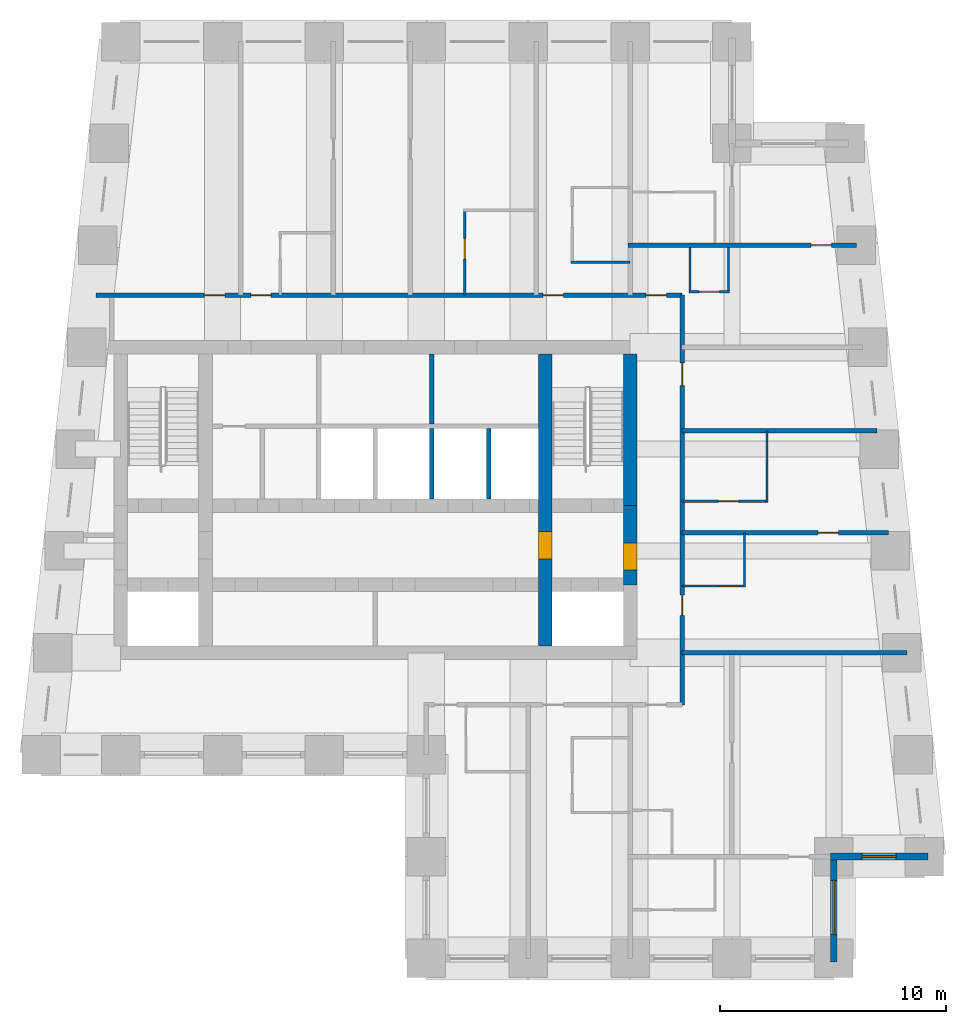
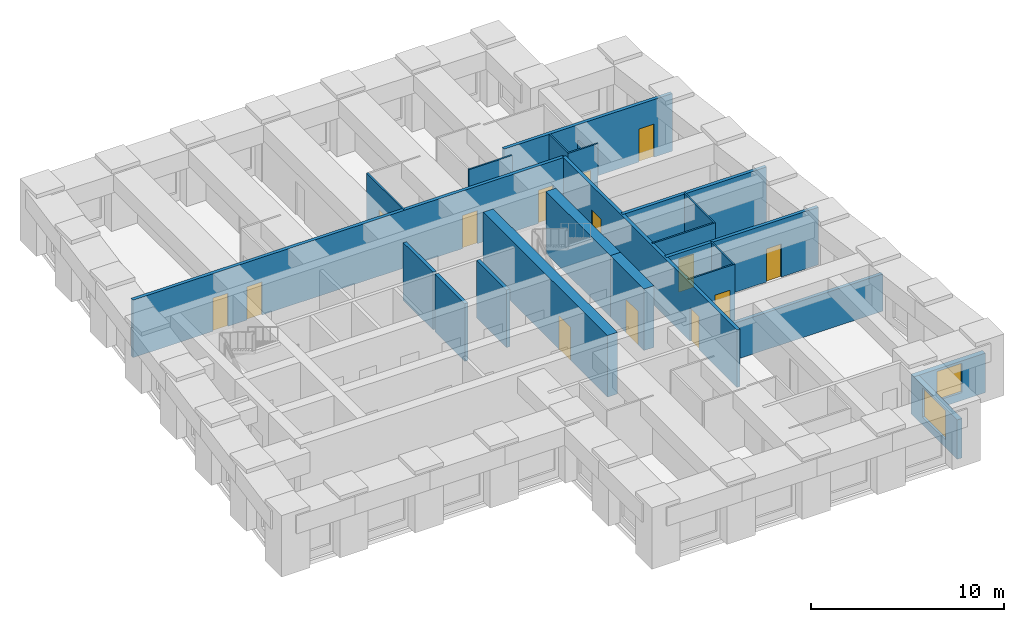
# One storey, part 4 of 7: 23 walls, 14 doors, 2 windows, 16 openings.
"""IFC4 building model written with IfcOpenShell, lengths in metres."""

import ifcopenshell
import ifcopenshell.guid

model = None  # the IFC model being written
_history = None  # IfcOwnerHistory: only IFC2X3 demands one
_inside = {}  # id of a spatial element -> (the spatial element, [elements in it])
_under = {}  # id of a project, library or spatial element -> (it, [spatial elements below it])
_declared = {}  # id of a project -> (the project, [libraries it declares])
_typed = {}  # id of a type object -> (the type object, [elements of that type])
_made_of = {}  # id of a material, layer set ... -> (it, [elements and type objects made of it])


def new_model(schema):
    """Start an empty IFC model of exactly this schema.

    Asked for "IFC4X3", IfcOpenShell would pick the latest addendum, in which some entities
    have other attributes; the version numbers below select the first issue.
    IFC2X3 requires an IfcOwnerHistory on every rooted entity: one is made here for all.
    """
    global model, _history
    if schema == "IFC4X3":
        model = ifcopenshell.file(schema_version=(4, 3, 0, 0))
    else:
        model = ifcopenshell.file(schema=schema)
    _inside.clear()
    _under.clear()
    _declared.clear()
    _typed.clear()
    _made_of.clear()
    _history = None
    if model.schema == "IFC2X3":
        org = make("IfcOrganization", Name="unknown")
        user = make(
            "IfcPersonAndOrganization",
            ThePerson=make("IfcPerson", FamilyName="unknown"),
            TheOrganization=org,
        )
        app = make(
            "IfcApplication",
            ApplicationDeveloper=org,
            Version="unknown",
            ApplicationFullName="unknown",
            ApplicationIdentifier="unknown",
        )
        _history = make(
            "IfcOwnerHistory",
            OwningUser=user,
            OwningApplication=app,
            ChangeAction="ADDED",
            CreationDate=0,
        )
    return model


def make(cls, **values):
    """One entity of the class cls with the attributes given. An attribute that is None is left unset."""
    return model.create_entity(
        cls, **{name: value for name, value in values.items() if value is not None}
    )


def rooted(cls, **values):
    """An entity with a GlobalId (a new one), such as an element, a storey or a relation."""
    return make(cls, GlobalId=ifcopenshell.guid.new(), OwnerHistory=_history, **values)


def si_unit(unit_type, name, prefix=None):
    """IfcSIUnit, for example si_unit("LENGTHUNIT", "METRE", prefix="MILLI")."""
    return make("IfcSIUnit", UnitType=unit_type, Prefix=prefix, Name=name)


def assignment(units):
    """IfcUnitAssignment: the units of a project."""
    return None if units is None else make("IfcUnitAssignment", Units=units)


def point(xyz):
    """IfcCartesianPoint."""
    return None if xyz is None else make("IfcCartesianPoint", Coordinates=xyz)


def direction(xyz):
    """IfcDirection."""
    return None if xyz is None else make("IfcDirection", DirectionRatios=xyz)


def frame(location, z_axis=None, x_axis=None):
    """IfcAxis2Placement3D, a coordinate frame: its origin and axes. An axis left out is left unset."""
    return make(
        "IfcAxis2Placement3D",
        Location=point(location),
        Axis=direction(z_axis),
        RefDirection=direction(x_axis),
    )


def frame_2d(location, x_axis=None):
    """IfcAxis2Placement2D, a coordinate frame in the plane: its origin and x axis."""
    return make(
        "IfcAxis2Placement2D", Location=point(location), RefDirection=direction(x_axis)
    )


def origin():
    """The frame at (0, 0, 0) with its axes left unset."""
    return frame((0.0, 0.0, 0.0))


def place(relative_to, where):
    """IfcLocalPlacement: puts the frame where relative to a parent placement (None: the world)."""
    return make(
        "IfcLocalPlacement", PlacementRelTo=relative_to, RelativePlacement=where
    )


def context(
    kind, dimensions, precision=None, world=None, true_north=None, identifier=None
):
    """IfcGeometricRepresentationContext, for example the 3D "Model" context."""
    return make(
        "IfcGeometricRepresentationContext",
        ContextIdentifier=identifier,
        ContextType=kind,
        CoordinateSpaceDimension=dimensions,
        Precision=precision,
        WorldCoordinateSystem=world,
        TrueNorth=true_north,
    )


def subcontext(parent, identifier, kind, view, scale=None):
    """IfcGeometricRepresentationSubContext, for example "Body" below "Model"."""
    return make(
        "IfcGeometricRepresentationSubContext",
        ContextIdentifier=identifier,
        ContextType=kind,
        ParentContext=parent,
        TargetScale=scale,
        TargetView=view,
    )


def project(units=None, contexts=None):
    """IfcProject with its units and contexts."""
    return rooted(
        "IfcProject",
        Name="project",
        RepresentationContexts=contexts,
        UnitsInContext=assignment(units),
    )


def spatial(cls, under=None, at=None, **own):
    """A site, building, storey or space (cls), placed at a placement, below another one or the project."""
    s = rooted(cls, ObjectPlacement=at, **own)
    if under is not None:
        _under.setdefault(under.id(), (under, []))[1].append(s)
    return s


def profile(cls, at=None, kind="AREA", **sizes):
    """A parametric profile (cls). Its sizes go by their IFC names, for example OverallWidth=200.0."""
    return make(cls, ProfileType=kind, Position=at, **sizes)


def rectangle(**sizes):
    """IfcRectangleProfileDef."""
    return profile("IfcRectangleProfileDef", **sizes)


def extrude(swept, where, along, depth):
    """IfcExtrudedAreaSolid: the profile swept, set in the frame where, extruded along a direction by depth."""
    return make(
        "IfcExtrudedAreaSolid",
        SweptArea=swept,
        Position=where,
        ExtrudedDirection=direction(along),
        Depth=depth,
    )


def shape(context_of_items, identifier, shape_type, items):
    """IfcShapeRepresentation: the items that make up one representation, for example the "Body"."""
    return make(
        "IfcShapeRepresentation",
        ContextOfItems=context_of_items,
        RepresentationIdentifier=identifier,
        RepresentationType=shape_type,
        Items=items,
    )


def material(Name=None, Category=None):
    """IfcMaterial."""
    return make("IfcMaterial", Name=Name, Category=Category)


def layer(
    of_material, thickness, ventilated=None, Name=None, Category=None, Priority=None
):
    """IfcMaterialLayer: one layer of a wall or slab, of a material (None: an air gap)."""
    return make(
        "IfcMaterialLayer",
        Material=of_material,
        LayerThickness=thickness,
        IsVentilated=ventilated,
        Name=Name,
        Category=Category,
        Priority=Priority,
    )


def layer_set(layers, Name=None):
    """IfcMaterialLayerSet."""
    return make("IfcMaterialLayerSet", MaterialLayers=layers, LayerSetName=Name)


def made_of(thing, what):
    """Note that an element or type object is made of a material, layer set ...; save() writes the relation."""
    if what is not None:
        _made_of.setdefault(what.id(), (what, []))[1].append(thing)
    return thing


def type_object(cls, material=None, **own):
    """A type object (cls), such as IfcWallType, which elements share."""
    return made_of(rooted(cls, **own), material)


def element(
    cls,
    number,
    at=None,
    inside=None,
    cuts=None,
    type_object=None,
    material=None,
    context=None,
    identifier="Body",
    shape_type=None,
    held_by="IfcProductDefinitionShape",
    body=None,
    shapes=None,
    **own,
):
    """One element of the class cls, such as IfcWall. Its Tag is "e" and its number.

    at: its placement. inside: the storey or other place that contains it. cuts: it is an
    opening in that element (IfcRelVoidsElement). A single representation is given by context,
    identifier, shape_type and body (its items); several are given by shapes. held_by: the class
    of the entity that holds the representations. save() writes the other relations.
    """
    e = rooted(cls, Tag="e%d" % number, ObjectPlacement=at, **own)
    if body is not None:
        shapes = [shape(context, identifier, shape_type, body)]
    if shapes is not None:
        e.Representation = make(held_by, Representations=shapes)
    if inside is not None:
        _inside.setdefault(inside.id(), (inside, []))[1].append(e)
    if cuts is not None:
        rooted(
            "IfcRelVoidsElement", RelatingBuildingElement=cuts, RelatedOpeningElement=e
        )
    if type_object is not None:
        _typed.setdefault(type_object.id(), (type_object, []))[1].append(e)
    return made_of(e, material)


def fill(opening, filler):
    """IfcRelFillsElement: the door or window that sits in an opening."""
    return rooted(
        "IfcRelFillsElement",
        RelatingOpeningElement=opening,
        RelatedBuildingElement=filler,
    )


def aggregate(whole, parts):
    """IfcRelAggregates: a whole, such as a stair, and the parts it consists of."""
    return rooted("IfcRelAggregates", RelatingObject=whole, RelatedObjects=parts)


def save(model, path):
    """Write the relations noted so far, then the file.

    IfcRelAggregates (storeys below a building ...), IfcRelContainedInSpatialStructure (elements
    in a storey), IfcRelDefinesByType, IfcRelAssociatesMaterial and IfcRelDeclares: one each for
    every whole, place, type object, material and project.
    """
    for whole, parts in _under.values():
        aggregate(whole, parts)
    for where, things in _inside.values():
        rooted(
            "IfcRelContainedInSpatialStructure",
            RelatedElements=things,
            RelatingStructure=where,
        )
    for kind, things in _typed.values():
        rooted("IfcRelDefinesByType", RelatedObjects=things, RelatingType=kind)
    for what, things in _made_of.values():
        rooted("IfcRelAssociatesMaterial", RelatedObjects=things, RelatingMaterial=what)
    for by, libraries in _declared.values():
        rooted("IfcRelDeclares", RelatingContext=by, RelatedDefinitions=libraries)
    model.write(path)


model = new_model("IFC4")

# Units and contexts
model_context = context("Model", 3, precision=1e-05, world=origin(), true_north=direction((0.0, 1.0)))
body_context = subcontext(model_context, "Body", "Model", "MODEL_VIEW")
ifc_project = project(units=[si_unit("LENGTHUNIT", "METRE"), si_unit("AREAUNIT", "SQUARE_METRE"), si_unit("VOLUMEUNIT", "CUBIC_METRE"), si_unit("PLANEANGLEUNIT", "RADIAN"), si_unit("MASSUNIT", "GRAM", prefix="KILO")], contexts=[model_context])

# Site, building, storey
site_placement = place(None, origin())
site = spatial("IfcSite", under=ifc_project, at=site_placement, CompositionType="ELEMENT")
building_placement = place(site_placement, origin())
building = spatial("IfcBuilding", under=site, at=building_placement, Name="Kilele Tower Hotel", CompositionType="ELEMENT")
storey_placement = place(building_placement, frame((0.0, 0.0, 229.10009765625)))
storey = spatial("IfcBuildingStorey", under=building, at=storey_placement, Name="L59", CompositionType="ELEMENT", Elevation=229.10009765625)

# Wall
ifc_material_1 = material(Name="Moisture-resistant board")
ifc_layer_1 = layer(ifc_material_1, 0.10009765625)
ifc_layer_set_1 = layer_set([ifc_layer_1], Name="Moisture-resistant board")
wall_type_1 = type_object("IfcWallType", Name="Bathroom partition 100", PredefinedType="PLUMBINGWALL", material=ifc_layer_set_1)
wall_1_placement = place(storey_placement, frame((41.050048828125, 16.39990234375, 0.0), z_axis=(0.0, 0.0, 1.0), x_axis=(0.0, 1.0, 0.0)))
element("IfcWall", 1, at=wall_1_placement, inside=storey, type_object=wall_type_1, Name="Bathroom partition 100 L59", PredefinedType="PLUMBINGWALL", context=body_context, shape_type="SweptSolid", body=[
    extrude(rectangle(XDim=2.400146484375, YDim=0.10009765625, at=frame_2d((1.2001953125, 0.0))), origin(), (0.0, 0.0, 1.0), 3.64990234375),
])

# Wall, opening, door
wall_2_placement = place(storey_placement, frame((38.300048828125, 16.449951171875, 0.0), z_axis=(0.0, 0.0, 1.0), x_axis=(1.0, 0.0, 0.0)))
wall_2 = element("IfcWall", 2, at=wall_2_placement, inside=storey, type_object=wall_type_1, Name="Bathroom partition 100 L59", PredefinedType="PLUMBINGWALL", context=body_context, shape_type="SweptSolid", body=[
    extrude(rectangle(XDim=2.800048828125, YDim=0.10009765625, at=frame_2d((1.39990234375, 0.0))), origin(), (0.0, 0.0, 1.0), 3.64990234375),
])
opening_1_placement = place(wall_2_placement, frame((2.5, 0.0, 0.0), z_axis=(0.0, 0.0, 1.0), x_axis=(-1.0, 0.0, 0.0)))
opening_1 = element("IfcOpeningElement", 3, at=opening_1_placement, cuts=wall_2, Name="Opening D2A", PredefinedType="OPENING", context=body_context, shape_type="SweptSolid", body=[
    extrude(rectangle(XDim=0.89990234375, YDim=2.10009765625, at=frame_2d((0.449951171875, 1.050048828125))), frame((0.0, 0.06005859375, 0.0), z_axis=(0.0, -1.0, 0.0), x_axis=(1.0, 0.0, 0.0)), (0.0, 0.0, 1.0), 0.1201171875),
])
ifc_material_2 = material(Name="Timber door leaf in hardwood frame", Category="wood")
door_type_1 = type_object("IfcDoorType", Name="Bathroom door 900", OperationType="SINGLE_SWING_LEFT", PredefinedType="DOOR", material=ifc_material_2)
door_1_placement = place(opening_1_placement, origin())
door_1 = element("IfcDoor", 4, at=door_1_placement, inside=storey, type_object=door_type_1, Name="Bathroom door 5904B", OperationType="SINGLE_SWING_RIGHT", OverallHeight=2.10009765625, OverallWidth=0.89990234375, PredefinedType="DOOR", context=body_context, shape_type="SweptSolid", body=[
    extrude(rectangle(XDim=0.89990234375, YDim=2.10009765625, at=frame_2d((0.449951171875, 1.050048828125))), frame((0.0, 0.02490234375, 0.0), z_axis=(0.0, -1.0, 0.0), x_axis=(1.0, 0.0, 0.0)), (0.0, 0.0, 1.0), 0.050048828125),
])
fill(opening_1, door_1)

# Wall
wall_3_placement = place(storey_placement, frame((42.050048828125, 20.14990234375, 0.0), z_axis=(0.0, 0.0, 1.0), x_axis=(0.0, 1.0, 0.0)))
element("IfcWall", 5, at=wall_3_placement, inside=storey, type_object=wall_type_1, Name="Bathroom partition 100 L59", PredefinedType="PLUMBINGWALL", context=body_context, shape_type="SweptSolid", body=[
    extrude(rectangle(XDim=3.150146484375, YDim=0.10009765625, at=frame_2d((1.5751953125, 0.0))), origin(), (0.0, 0.0, 1.0), 3.64990234375),
])

# Wall, opening, door
wall_4_placement = place(storey_placement, frame((38.300048828125, 20.199951171875, 0.0), z_axis=(0.0, 0.0, 1.0), x_axis=(1.0, 0.0, 0.0)))
wall_4 = element("IfcWall", 6, at=wall_4_placement, inside=storey, type_object=wall_type_1, Name="Bathroom partition 100 L59", PredefinedType="PLUMBINGWALL", context=body_context, shape_type="SweptSolid", body=[
    extrude(rectangle(XDim=3.800048828125, YDim=0.10009765625, at=frame_2d((1.89990234375, 0.0))), origin(), (0.0, 0.0, 1.0), 3.64990234375),
])
opening_2_placement = place(wall_4_placement, frame((2.5, 0.0, 0.0), z_axis=(0.0, 0.0, 1.0), x_axis=(-1.0, 0.0, 0.0)))
opening_2 = element("IfcOpeningElement", 7, at=opening_2_placement, cuts=wall_4, Name="Opening D2A", PredefinedType="OPENING", context=body_context, shape_type="SweptSolid", body=[
    extrude(rectangle(XDim=0.89990234375, YDim=2.10009765625, at=frame_2d((0.449951171875, 1.050048828125))), frame((0.0, 0.06005859375, 0.0), z_axis=(0.0, -1.0, 0.0), x_axis=(1.0, 0.0, 0.0)), (0.0, 0.0, 1.0), 0.1201171875),
])
door_2_placement = place(opening_2_placement, origin())
door_2 = element("IfcDoor", 8, at=door_2_placement, inside=storey, type_object=door_type_1, Name="Bathroom door 5905B", OperationType="SINGLE_SWING_RIGHT", OverallHeight=2.10009765625, OverallWidth=0.89990234375, PredefinedType="DOOR", context=body_context, shape_type="SweptSolid", body=[
    extrude(rectangle(XDim=0.89990234375, YDim=2.10009765625, at=frame_2d((0.449951171875, 1.050048828125))), frame((0.0, 0.02490234375, 0.0), z_axis=(0.0, -1.0, 0.0), x_axis=(1.0, 0.0, 0.0)), (0.0, 0.0, 1.0), 0.050048828125),
])
fill(opening_2, door_2)

wall_5_placement = place(storey_placement, frame((28.699951171875, 29.300048828125, 0.0), z_axis=(0.0, 0.0, 1.0), x_axis=(0.0, 1.0, 0.0)))
wall_5 = element("IfcWall", 9, at=wall_5_placement, inside=storey, type_object=wall_type_1, Name="Bathroom partition 100 L59", PredefinedType="PLUMBINGWALL", context=body_context, shape_type="SweptSolid", body=[
    extrude(rectangle(XDim=3.800048828125, YDim=0.10009765625, at=frame_2d((1.89990234375, 0.0))), origin(), (0.0, 0.0, 1.0), 3.64990234375),
])
opening_3_placement = place(wall_5_placement, frame((1.60009765625, 0.0, 0.0)))
opening_3 = element("IfcOpeningElement", 10, at=opening_3_placement, cuts=wall_5, Name="Opening D2A", PredefinedType="OPENING", context=body_context, shape_type="SweptSolid", body=[
    extrude(rectangle(XDim=0.89990234375, YDim=2.10009765625, at=frame_2d((0.449951171875, 1.050048828125))), frame((0.0, 0.06005859375, 0.0), z_axis=(0.0, -1.0, 0.0), x_axis=(1.0, 0.0, 0.0)), (0.0, 0.0, 1.0), 0.1201171875),
])
door_3_placement = place(opening_3_placement, origin())
door_3 = element("IfcDoor", 11, at=door_3_placement, inside=storey, type_object=door_type_1, Name="Bathroom door 5910B", OperationType="SINGLE_SWING_LEFT", OverallHeight=2.10009765625, OverallWidth=0.89990234375, PredefinedType="DOOR", context=body_context, shape_type="SweptSolid", body=[
    extrude(rectangle(XDim=0.89990234375, YDim=2.10009765625, at=frame_2d((0.449951171875, 1.050048828125))), frame((0.0, 0.02490234375, 0.0), z_axis=(0.0, -1.0, 0.0), x_axis=(1.0, 0.0, 0.0)), (0.0, 0.0, 1.0), 0.050048828125),
])
fill(opening_3, door_3)

# Walls
wall_6_placement = place(storey_placement, frame((33.39990234375, 30.75, 0.0), z_axis=(0.0, 0.0, 1.0), x_axis=(1.0, 0.0, 0.0)))
element("IfcWall", 12, at=wall_6_placement, inside=storey, type_object=wall_type_1, Name="Bathroom partition 100 L59", PredefinedType="PLUMBINGWALL", context=body_context, shape_type="SweptSolid", body=[
    extrude(rectangle(XDim=2.60009765625, YDim=0.10009765625, at=frame_2d((1.300048828125, 0.0))), origin(), (0.0, 0.0, 1.0), 3.64990234375),
])
wall_7_placement = place(storey_placement, frame((40.35009765625, 31.39990234375, 0.0), z_axis=(0.0, 0.0, 1.0), x_axis=(0.0, -1.0, 0.0)))
element("IfcWall", 13, at=wall_7_placement, inside=storey, type_object=wall_type_1, Name="Bathroom partition 100 L59", PredefinedType="PLUMBINGWALL", context=body_context, shape_type="SweptSolid", body=[
    extrude(rectangle(XDim=2.0, YDim=0.10009765625, at=frame_2d((1.0, 0.0))), origin(), (0.0, 0.0, 1.0), 2.64990234375),
])
wall_8_placement = place(storey_placement, frame((38.64990234375, 31.39990234375, 0.0), z_axis=(0.0, 0.0, 1.0), x_axis=(0.0, -1.0, 0.0)))
element("IfcWall", 14, at=wall_8_placement, inside=storey, type_object=wall_type_1, Name="Bathroom partition 100 L59", PredefinedType="PLUMBINGWALL", context=body_context, shape_type="SweptSolid", body=[
    extrude(rectangle(XDim=2.0, YDim=0.10009765625, at=frame_2d((1.0, 0.0))), origin(), (0.0, 0.0, 1.0), 3.64990234375),
])

# Wall, opening, door
wall_9_placement = place(storey_placement, frame((38.60009765625, 29.449951171875, 0.0), z_axis=(0.0, 0.0, 1.0), x_axis=(1.0, 0.0, 0.0)))
wall_9 = element("IfcWall", 15, at=wall_9_placement, inside=storey, type_object=wall_type_1, Name="Bathroom partition 100 L59", PredefinedType="PLUMBINGWALL", context=body_context, shape_type="SweptSolid", body=[
    extrude(rectangle(XDim=1.7998046875, YDim=0.10009765625, at=frame_2d((0.89990234375, 0.0))), origin(), (0.0, 0.0, 1.0), 3.64990234375),
])
opening_4_placement = place(wall_9_placement, frame((1.349853515625, 0.0, 0.0), z_axis=(0.0, 0.0, 1.0), x_axis=(-1.0, 0.0, 0.0)))
opening_4 = element("IfcOpeningElement", 16, at=opening_4_placement, cuts=wall_9, Name="Opening D2A", PredefinedType="OPENING", context=body_context, shape_type="SweptSolid", body=[
    extrude(rectangle(XDim=0.89990234375, YDim=2.10009765625, at=frame_2d((0.449951171875, 1.050048828125))), frame((0.0, 0.06005859375, 0.0), z_axis=(0.0, -1.0, 0.0), x_axis=(1.0, 0.0, 0.0)), (0.0, 0.0, 1.0), 0.1201171875),
])
door_4_placement = place(opening_4_placement, origin())
door_4 = element("IfcDoor", 17, at=door_4_placement, inside=storey, type_object=door_type_1, Name="Bathroom door 5915P", OperationType="SINGLE_SWING_RIGHT", OverallHeight=2.10009765625, OverallWidth=0.89990234375, PredefinedType="DOOR", context=body_context, shape_type="SweptSolid", body=[
    extrude(rectangle(XDim=0.89990234375, YDim=2.10009765625, at=frame_2d((0.449951171875, 1.050048828125))), frame((0.0, 0.02490234375, 0.0), z_axis=(0.0, -1.0, 0.0), x_axis=(1.0, 0.0, 0.0)), (0.0, 0.0, 1.0), 0.050048828125),
])
fill(opening_4, door_4)

ifc_material_3 = material(Name="Concrete C60/75", Category="concrete")
ifc_layer_2 = layer(ifc_material_3, 0.60009765625)
ifc_layer_set_2 = layer_set([ifc_layer_2], Name="Concrete C60/75")
wall_type_2 = type_object("IfcWallType", Name="Core wall 600 C60/75", PredefinedType="SHEAR", material=ifc_layer_set_2)
wall_10_placement = place(storey_placement, frame((32.25, 13.800048828125, 0.0), z_axis=(0.0, 0.0, 1.0), x_axis=(0.0, 1.0, 0.0)))
wall_10 = element("IfcWall", 18, at=wall_10_placement, inside=storey, type_object=wall_type_2, Name="Core wall IE L59", PredefinedType="SHEAR", context=body_context, shape_type="SweptSolid", body=[
    extrude(rectangle(XDim=12.89990234375, YDim=0.60009765625, at=frame_2d((6.449951171875, 0.0))), origin(), (0.0, 0.0, 1.0), 3.89990234375),
])
opening_5_placement = place(wall_10_placement, frame((5.050048828125, 0.0, 0.0), z_axis=(0.0, 0.0, 1.0), x_axis=(-1.0, 0.0, 0.0)))
opening_5 = element("IfcOpeningElement", 19, at=opening_5_placement, cuts=wall_10, Name="Opening D4", PredefinedType="OPENING", context=body_context, shape_type="SweptSolid", body=[
    extrude(rectangle(XDim=1.199951171875, YDim=2.10009765625, at=frame_2d((0.60009765625, 1.050048828125))), frame((0.0, 0.31005859375, 0.0), z_axis=(0.0, -1.0, 0.0), x_axis=(1.0, 0.0, 0.0)), (0.0, 0.0, 1.0), 0.6201171875),
])
ifc_material_4 = material(Name="Timber door leaf in hardwood frame", Category="wood")
door_type_2 = type_object("IfcDoorType", Name="Firefighting lobby door 1200", OperationType="SINGLE_SWING_LEFT", PredefinedType="DOOR", material=ifc_material_4)
door_5_placement = place(opening_5_placement, origin())
door_5 = element("IfcDoor", 20, at=door_5_placement, inside=storey, type_object=door_type_2, Name="Lobby door L59", OperationType="SINGLE_SWING_RIGHT", OverallHeight=2.10009765625, OverallWidth=1.199951171875, PredefinedType="DOOR", context=body_context, shape_type="SweptSolid", body=[
    extrude(rectangle(XDim=1.199951171875, YDim=2.10009765625, at=frame_2d((0.60009765625, 1.050048828125))), frame((0.0, 0.2998046875, 0.0), z_axis=(0.0, -1.0, 0.0), x_axis=(1.0, 0.0, 0.0)), (0.0, 0.0, 1.0), 0.599609375),
])
fill(opening_5, door_5)

wall_11_placement = place(storey_placement, frame((36.0, 16.5, 0.0), z_axis=(0.0, 0.0, 1.0), x_axis=(0.0, 1.0, 0.0)))
wall_11 = element("IfcWall", 21, at=wall_11_placement, inside=storey, type_object=wall_type_2, Name="Core wall E2 L59", PredefinedType="SHEAR", context=body_context, shape_type="SweptSolid", body=[
    extrude(rectangle(XDim=3.5, YDim=0.60009765625, at=frame_2d((1.75, 0.0))), origin(), (0.0, 0.0, 1.0), 3.89990234375),
])
opening_6_placement = place(wall_11_placement, frame((0.64990234375, 0.0, 0.0)))
opening_6 = element("IfcOpeningElement", 22, at=opening_6_placement, cuts=wall_11, Name="Opening D4", PredefinedType="OPENING", context=body_context, shape_type="SweptSolid", body=[
    extrude(rectangle(XDim=1.199951171875, YDim=2.10009765625, at=frame_2d((0.60009765625, 1.050048828125))), frame((0.0, 0.31005859375, 0.0), z_axis=(0.0, -1.0, 0.0), x_axis=(1.0, 0.0, 0.0)), (0.0, 0.0, 1.0), 0.6201171875),
])
door_6_placement = place(opening_6_placement, origin())
door_6 = element("IfcDoor", 23, at=door_6_placement, inside=storey, type_object=door_type_2, Name="Lobby door L59", OperationType="SINGLE_SWING_LEFT", OverallHeight=2.10009765625, OverallWidth=1.199951171875, PredefinedType="DOOR", context=body_context, shape_type="SweptSolid", body=[
    extrude(rectangle(XDim=1.199951171875, YDim=2.10009765625, at=frame_2d((0.60009765625, 1.050048828125))), frame((0.0, 0.2998046875, 0.0), z_axis=(0.0, -1.0, 0.0), x_axis=(1.0, 0.0, 0.0)), (0.0, 0.0, 1.0), 0.599609375),
])
fill(opening_6, door_6)

# Wall
wall_12_placement = place(storey_placement, frame((36.0, 20.0, 0.0), z_axis=(0.0, 0.0, 1.0), x_axis=(0.0, 1.0, 0.0)))
element("IfcWall", 24, at=wall_12_placement, inside=storey, type_object=wall_type_2, Name="Core wall E3 L59", PredefinedType="SHEAR", context=body_context, shape_type="SweptSolid", body=[
    extrude(rectangle(XDim=6.699951171875, YDim=0.60009765625, at=frame_2d((3.35009765625, 0.0))), origin(), (0.0, 0.0, 1.0), 3.89990234375),
])

# Wall, openings, doors
ifc_material_5 = material(Name="Blockwork, plastered both sides", Category="masonry")
ifc_layer_3 = layer(ifc_material_5, 0.199951171875)
ifc_layer_set_3 = layer_set([ifc_layer_3], Name="Blockwork, plastered both sides")
wall_type_3 = type_object("IfcWallType", Name="Corridor wall 200", PredefinedType="PARTITIONING", material=ifc_layer_set_3)
wall_13_placement = place(storey_placement, frame((12.406494140625, 29.300048828125, 0.0), z_axis=(0.0, 0.0, 1.0), x_axis=(1.0, 0.0, 0.0)))
wall_13 = element("IfcWall", 25, at=wall_13_placement, inside=storey, type_object=wall_type_3, Name="Corridor wall 200 L59", PredefinedType="PARTITIONING", context=body_context, shape_type="SweptSolid", body=[
    extrude(rectangle(XDim=25.8935546875, YDim=0.199951171875, at=frame_2d((12.94677734375, 0.0))), origin(), (0.0, 0.0, 1.0), 3.64990234375),
])
opening_7_placement = place(wall_13_placement, frame((4.79345703125, 0.0, 0.0)))
opening_7 = element("IfcOpeningElement", 26, at=opening_7_placement, cuts=wall_13, Name="Opening D1", PredefinedType="OPENING", context=body_context, shape_type="SweptSolid", body=[
    extrude(rectangle(XDim=0.89990234375, YDim=2.10009765625, at=frame_2d((0.449951171875, 1.050048828125))), frame((0.0, 0.10986328125, 0.0), z_axis=(0.0, -1.0, 0.0), x_axis=(1.0, 0.0, 0.0)), (0.0, 0.0, 1.0), 0.219970703125),
])
opening_8_placement = place(wall_13_placement, frame((6.843505859375, 0.0, 0.0)))
opening_8 = element("IfcOpeningElement", 27, at=opening_8_placement, cuts=wall_13, Name="Opening D1", PredefinedType="OPENING", context=body_context, shape_type="SweptSolid", body=[
    extrude(rectangle(XDim=0.89990234375, YDim=2.10009765625, at=frame_2d((0.449951171875, 1.050048828125))), frame((0.0, 0.10986328125, 0.0), z_axis=(0.0, -1.0, 0.0), x_axis=(1.0, 0.0, 0.0)), (0.0, 0.0, 1.0), 0.219970703125),
])
opening_9_placement = place(wall_13_placement, frame((19.743408203125, 0.0, 0.0)))
opening_9 = element("IfcOpeningElement", 28, at=opening_9_placement, cuts=wall_13, Name="Opening D1", PredefinedType="OPENING", context=body_context, shape_type="SweptSolid", body=[
    extrude(rectangle(XDim=0.89990234375, YDim=2.10009765625, at=frame_2d((0.449951171875, 1.050048828125))), frame((0.0, 0.10986328125, 0.0), z_axis=(0.0, -1.0, 0.0), x_axis=(1.0, 0.0, 0.0)), (0.0, 0.0, 1.0), 0.219970703125),
])
opening_10_placement = place(wall_13_placement, frame((24.29345703125, 0.0, 0.0)))
opening_10 = element("IfcOpeningElement", 29, at=opening_10_placement, cuts=wall_13, Name="Opening D1", PredefinedType="OPENING", context=body_context, shape_type="SweptSolid", body=[
    extrude(rectangle(XDim=0.89990234375, YDim=2.10009765625, at=frame_2d((0.449951171875, 1.050048828125))), frame((0.0, 0.10986328125, 0.0), z_axis=(0.0, -1.0, 0.0), x_axis=(1.0, 0.0, 0.0)), (0.0, 0.0, 1.0), 0.219970703125),
])
ifc_material_6 = material(Name="Timber door leaf in hardwood frame", Category="wood")
door_type_3 = type_object("IfcDoorType", Name="Guest room entrance door 900", OperationType="SINGLE_SWING_LEFT", PredefinedType="DOOR", material=ifc_material_6)
door_7_placement = place(opening_7_placement, origin())
door_7 = element("IfcDoor", 30, at=door_7_placement, inside=storey, type_object=door_type_3, Name="Room entrance 5907", OperationType="SINGLE_SWING_RIGHT", OverallHeight=2.10009765625, OverallWidth=0.89990234375, PredefinedType="DOOR", context=body_context, shape_type="SweptSolid", body=[
    extrude(rectangle(XDim=0.89990234375, YDim=2.10009765625, at=frame_2d((0.449951171875, 1.050048828125))), frame((0.0, 0.02490234375, 0.0), z_axis=(0.0, -1.0, 0.0), x_axis=(1.0, 0.0, 0.0)), (0.0, 0.0, 1.0), 0.050048828125),
])
fill(opening_7, door_7)
door_8_placement = place(opening_8_placement, origin())
door_8 = element("IfcDoor", 31, at=door_8_placement, inside=storey, type_object=door_type_3, Name="Room entrance 5908", OperationType="SINGLE_SWING_LEFT", OverallHeight=2.10009765625, OverallWidth=0.89990234375, PredefinedType="DOOR", context=body_context, shape_type="SweptSolid", body=[
    extrude(rectangle(XDim=0.89990234375, YDim=2.10009765625, at=frame_2d((0.449951171875, 1.050048828125))), frame((0.0, 0.02490234375, 0.0), z_axis=(0.0, -1.0, 0.0), x_axis=(1.0, 0.0, 0.0)), (0.0, 0.0, 1.0), 0.050048828125),
])
fill(opening_8, door_8)
door_9_placement = place(opening_9_placement, origin())
door_9 = element("IfcDoor", 32, at=door_9_placement, inside=storey, type_object=door_type_3, Name="Room entrance 5911", OperationType="SINGLE_SWING_LEFT", OverallHeight=2.10009765625, OverallWidth=0.89990234375, PredefinedType="DOOR", context=body_context, shape_type="SweptSolid", body=[
    extrude(rectangle(XDim=0.89990234375, YDim=2.10009765625, at=frame_2d((0.449951171875, 1.050048828125))), frame((0.0, 0.02490234375, 0.0), z_axis=(0.0, -1.0, 0.0), x_axis=(1.0, 0.0, 0.0)), (0.0, 0.0, 1.0), 0.050048828125),
])
fill(opening_9, door_9)
door_10_placement = place(opening_10_placement, origin())
door_10 = element("IfcDoor", 33, at=door_10_placement, inside=storey, type_object=door_type_3, Name="Room entrance 5915", OperationType="SINGLE_SWING_LEFT", OverallHeight=2.10009765625, OverallWidth=0.89990234375, PredefinedType="DOOR", context=body_context, shape_type="SweptSolid", body=[
    extrude(rectangle(XDim=0.89990234375, YDim=2.10009765625, at=frame_2d((0.449951171875, 1.050048828125))), frame((0.0, 0.02490234375, 0.0), z_axis=(0.0, -1.0, 0.0), x_axis=(1.0, 0.0, 0.0)), (0.0, 0.0, 1.0), 0.050048828125),
])
fill(opening_10, door_10)

wall_14_placement = place(storey_placement, frame((38.300048828125, 11.199951171875, 0.0), z_axis=(0.0, 0.0, 1.0), x_axis=(0.0, 1.0, 0.0)))
wall_14 = element("IfcWall", 34, at=wall_14_placement, inside=storey, type_object=wall_type_3, Name="Corridor wall 200 L59", PredefinedType="PARTITIONING", context=body_context, shape_type="SweptSolid", body=[
    extrude(rectangle(XDim=18.10009765625, YDim=0.199951171875, at=frame_2d((9.050048828125, 0.0))), origin(), (0.0, 0.0, 1.0), 3.64990234375),
])
opening_11_placement = place(wall_14_placement, frame((4.849853515625, 0.0, 0.0), z_axis=(0.0, 0.0, 1.0), x_axis=(-1.0, 0.0, 0.0)))
opening_11 = element("IfcOpeningElement", 35, at=opening_11_placement, cuts=wall_14, Name="Opening D1", PredefinedType="OPENING", context=body_context, shape_type="SweptSolid", body=[
    extrude(rectangle(XDim=0.89990234375, YDim=2.10009765625, at=frame_2d((0.449951171875, 1.050048828125))), frame((0.0, 0.10986328125, 0.0), z_axis=(0.0, -1.0, 0.0), x_axis=(1.0, 0.0, 0.0)), (0.0, 0.0, 1.0), 0.219970703125),
])
opening_12_placement = place(wall_14_placement, frame((15.10009765625, 0.0, 0.0), z_axis=(0.0, 0.0, 1.0), x_axis=(-1.0, 0.0, 0.0)))
opening_12 = element("IfcOpeningElement", 36, at=opening_12_placement, cuts=wall_14, Name="Opening D8", PredefinedType="OPENING", context=body_context, shape_type="SweptSolid", body=[
    extrude(rectangle(XDim=1.0, YDim=2.10009765625, at=frame_2d((0.5, 1.050048828125))), frame((0.0, 0.10986328125, 0.0), z_axis=(0.0, -1.0, 0.0), x_axis=(1.0, 0.0, 0.0)), (0.0, 0.0, 1.0), 0.219970703125),
])
ifc_material_7 = material(Name="Timber door leaf in hardwood frame", Category="wood")
door_type_4 = type_object("IfcDoorType", Name="Door 1000", OperationType="SINGLE_SWING_LEFT", PredefinedType="DOOR", material=ifc_material_7)
door_11_placement = place(opening_12_placement, origin())
door_11 = element("IfcDoor", 37, at=door_11_placement, inside=storey, type_object=door_type_4, Name="Room entrance 5906", OperationType="SINGLE_SWING_LEFT", OverallHeight=2.10009765625, OverallWidth=1.0, PredefinedType="DOOR", context=body_context, shape_type="SweptSolid", body=[
    extrude(rectangle(XDim=1.0, YDim=2.10009765625, at=frame_2d((0.5, 1.050048828125))), frame((0.0, 0.02490234375, 0.0), z_axis=(0.0, -1.0, 0.0), x_axis=(1.0, 0.0, 0.0)), (0.0, 0.0, 1.0), 0.050048828125),
])
fill(opening_12, door_11)
door_12_placement = place(opening_11_placement, origin())
door_12 = element("IfcDoor", 38, at=door_12_placement, inside=storey, type_object=door_type_3, Name="Room entrance 5904", OperationType="SINGLE_SWING_LEFT", OverallHeight=2.10009765625, OverallWidth=0.89990234375, PredefinedType="DOOR", context=body_context, shape_type="SweptSolid", body=[
    extrude(rectangle(XDim=0.89990234375, YDim=2.10009765625, at=frame_2d((0.449951171875, 1.050048828125))), frame((0.0, 0.02490234375, 0.0), z_axis=(0.0, -1.0, 0.0), x_axis=(1.0, 0.0, 0.0)), (0.0, 0.0, 1.0), 0.050048828125),
])
fill(opening_11, door_12)

# Wall, opening, door
ifc_material_8 = material(Name="Blockwork, plastered both sides", Category="masonry")
ifc_layer_4 = layer(ifc_material_8, 0.199951171875)
ifc_layer_set_4 = layer_set([ifc_layer_4], Name="Blockwork, plastered both sides")
wall_type_4 = type_object("IfcWallType", Name="Party wall 200", PredefinedType="PARTITIONING", material=ifc_layer_set_4)
wall_15_placement = place(storey_placement, frame((38.300048828125, 18.800048828125, 0.0), z_axis=(0.0, 0.0, 1.0), x_axis=(1.0, 0.0, 0.0)))
wall_15 = element("IfcWall", 39, at=wall_15_placement, inside=storey, type_object=wall_type_4, Name="Party wall 200 L59", PredefinedType="PARTITIONING", context=body_context, shape_type="SweptSolid", body=[
    extrude(rectangle(XDim=9.110107421875, YDim=0.199951171875, at=frame_2d((4.55517578125, 0.0))), origin(), (0.0, 0.0, 1.0), 3.64990234375),
])
opening_13_placement = place(wall_15_placement, frame((6.0, 0.0, 0.0)))
opening_13 = element("IfcOpeningElement", 40, at=opening_13_placement, cuts=wall_15, Name="Opening D3", PredefinedType="OPENING", context=body_context, shape_type="SweptSolid", body=[
    extrude(rectangle(XDim=0.89990234375, YDim=2.10009765625, at=frame_2d((0.449951171875, 1.050048828125))), frame((0.0, 0.10986328125, 0.0), z_axis=(0.0, -1.0, 0.0), x_axis=(1.0, 0.0, 0.0)), (0.0, 0.0, 1.0), 0.219970703125),
])
ifc_material_9 = material(Name="Timber door leaf in hardwood frame", Category="wood")
door_type_5 = type_object("IfcDoorType", Name="Suite internal door 900", OperationType="SINGLE_SWING_LEFT", PredefinedType="DOOR", material=ifc_material_9)
door_13_placement = place(opening_13_placement, origin())
door_13 = element("IfcDoor", 41, at=door_13_placement, inside=storey, type_object=door_type_5, Name="Suite door 5905", OperationType="SINGLE_SWING_RIGHT", OverallHeight=2.10009765625, OverallWidth=0.89990234375, PredefinedType="DOOR", context=body_context, shape_type="SweptSolid", body=[
    extrude(rectangle(XDim=0.89990234375, YDim=2.10009765625, at=frame_2d((0.449951171875, 1.050048828125))), frame((0.0, 0.02490234375, 0.0), z_axis=(0.0, -1.0, 0.0), x_axis=(1.0, 0.0, 0.0)), (0.0, 0.0, 1.0), 0.050048828125),
])
fill(opening_13, door_13)

# Walls
wall_16_placement = place(storey_placement, frame((38.300048828125, 23.300048828125, 0.0), z_axis=(0.0, 0.0, 1.0), x_axis=(1.0, 0.0, 0.0)))
element("IfcWall", 42, at=wall_16_placement, inside=storey, type_object=wall_type_4, Name="Party wall 200 L59", PredefinedType="PARTITIONING", context=body_context, shape_type="SweptSolid", body=[
    extrude(rectangle(XDim=8.610107421875, YDim=0.199951171875, at=frame_2d((4.30517578125, 0.0))), origin(), (0.0, 0.0, 1.0), 3.64990234375),
])
wall_17_placement = place(storey_placement, frame((38.300048828125, 13.5, 0.0), z_axis=(0.0, 0.0, 1.0), x_axis=(1.0, 0.0, 0.0)))
element("IfcWall", 43, at=wall_17_placement, inside=storey, type_object=wall_type_4, Name="Party wall 200 L59", PredefinedType="PARTITIONING", context=body_context, shape_type="SweptSolid", body=[
    extrude(rectangle(XDim=9.921142578125, YDim=0.199951171875, at=frame_2d((4.96044921875, 0.0))), origin(), (0.0, 0.0, 1.0), 2.349853515625),
])

# Wall, opening, door
wall_18_placement = place(storey_placement, frame((35.89990234375, 31.5, 0.0), z_axis=(0.0, 0.0, 1.0), x_axis=(1.0, 0.0, 0.0)))
wall_18 = element("IfcWall", 44, at=wall_18_placement, inside=storey, type_object=wall_type_4, Name="Party wall 200 L59", PredefinedType="PARTITIONING", context=body_context, shape_type="SweptSolid", body=[
    extrude(rectangle(XDim=10.09912109375, YDim=0.199951171875, at=frame_2d((5.049560546875, 0.0))), origin(), (0.0, 0.0, 1.0), 3.64990234375),
])
opening_14_placement = place(wall_18_placement, frame((8.09912109375, 0.0, 0.0)))
opening_14 = element("IfcOpeningElement", 45, at=opening_14_placement, cuts=wall_18, Name="Opening D3", PredefinedType="OPENING", context=body_context, shape_type="SweptSolid", body=[
    extrude(rectangle(XDim=0.89990234375, YDim=2.10009765625, at=frame_2d((0.449951171875, 1.050048828125))), frame((0.0, 0.10986328125, 0.0), z_axis=(0.0, -1.0, 0.0), x_axis=(1.0, 0.0, 0.0)), (0.0, 0.0, 1.0), 0.219970703125),
])
door_14_placement = place(opening_14_placement, origin())
door_14 = element("IfcDoor", 46, at=door_14_placement, inside=storey, type_object=door_type_5, Name="Suite door 5916", OperationType="SINGLE_SWING_RIGHT", OverallHeight=2.10009765625, OverallWidth=0.89990234375, PredefinedType="DOOR", context=body_context, shape_type="SweptSolid", body=[
    extrude(rectangle(XDim=0.89990234375, YDim=2.10009765625, at=frame_2d((0.449951171875, 1.050048828125))), frame((0.0, 0.02490234375, 0.0), z_axis=(0.0, -1.0, 0.0), x_axis=(1.0, 0.0, 0.0)), (0.0, 0.0, 1.0), 0.050048828125),
])
fill(opening_14, door_14)

# Wall, opening, window
ifc_material_10 = material(Name="Concrete C40/50 precast", Category="concrete")
ifc_layer_5 = layer(ifc_material_10, 0.260009765625, Name="Precast backing", Category="LoadBearing")
ifc_material_11 = material(Name="Reconstituted stone finish", Category="masonry")
ifc_layer_6 = layer(ifc_material_11, 0.0400390625, Name="Face mix", Category="Finish")
ifc_layer_set_5 = layer_set([ifc_layer_5, ifc_layer_6], Name="Precast concrete C40/50, reconstituted stone finish")
wall_type_5 = type_object("IfcWallType", Name="Precast stone facade wall 300", PredefinedType="STANDARD", material=ifc_layer_set_5)
wall_19_placement = place(storey_placement, frame((45.0, -0.14990234375, 0.0), z_axis=(0.0, 0.0, 1.0), x_axis=(0.0, 1.0, 0.0)))
wall_19 = element("IfcWall", 47, at=wall_19_placement, inside=storey, type_object=wall_type_5, Name="Facade wall L59 edge 4", PredefinedType="STANDARD", context=body_context, shape_type="SweptSolid", body=[
    extrude(rectangle(XDim=4.7998046875, YDim=0.300048828125, at=frame_2d((2.39990234375, 0.0))), origin(), (0.0, 0.0, 1.0), 2.5),
])
opening_15_placement = place(wall_19_placement, frame((1.199951171875, 0.0, 0.5)))
opening_15 = element("IfcOpeningElement", 48, at=opening_15_placement, cuts=wall_19, Name="Opening W4", PredefinedType="OPENING", context=body_context, shape_type="SweptSolid", body=[
    extrude(rectangle(XDim=2.39990234375, YDim=1.85009765625, at=frame_2d((1.199951171875, 0.925048828125))), frame((0.0, 0.159912109375, 0.0), z_axis=(0.0, -1.0, 0.0), x_axis=(1.0, 0.0, 0.0)), (0.0, 0.0, 1.0), 0.320068359375),
])
ifc_material_12 = material(Name="Aluminium frame, clear double glazing", Category="aluminium")
window_type_1 = type_object("IfcWindowType", Name="Window W4 2400 x 1850", PartitioningType="SINGLE_PANEL", PredefinedType="WINDOW", material=ifc_material_12)
window_1_placement = place(opening_15_placement, origin())
window_1 = element("IfcWindow", 49, at=window_1_placement, inside=storey, type_object=window_type_1, Name="Window L59", OverallHeight=1.85009765625, OverallWidth=2.39990234375, PartitioningType="SINGLE_PANEL", PredefinedType="WINDOW", context=body_context, shape_type="SweptSolid", body=[
    extrude(rectangle(XDim=2.39990234375, YDim=1.85009765625, at=frame_2d((1.199951171875, 0.925048828125))), frame((0.0, 0.030029296875, 0.0), z_axis=(0.0, -1.0, 0.0), x_axis=(1.0, 0.0, 0.0)), (0.0, 0.0, 1.0), 0.06005859375),
])
fill(opening_15, window_1)

wall_20_placement = place(storey_placement, frame((44.85009765625, 4.5, 0.0), z_axis=(0.0, 0.0, 1.0), x_axis=(1.0, 0.0, 0.0)))
wall_20 = element("IfcWall", 50, at=wall_20_placement, inside=storey, type_object=wall_type_5, Name="Facade wall L59 edge 5", PredefinedType="STANDARD", context=body_context, shape_type="SweptSolid", body=[
    extrude(rectangle(XDim=4.2998046875, YDim=0.300048828125, at=frame_2d((2.14990234375, 0.0))), origin(), (0.0, 0.0, 1.0), 2.5),
])
opening_16_placement = place(wall_20_placement, frame((1.39990234375, 0.0, 0.5)))
opening_16 = element("IfcOpeningElement", 51, at=opening_16_placement, cuts=wall_20, Name="Opening W4", PredefinedType="OPENING", context=body_context, shape_type="SweptSolid", body=[
    extrude(rectangle(XDim=1.5, YDim=1.85009765625, at=frame_2d((0.75, 0.925048828125))), frame((0.0, 0.159912109375, 0.0), z_axis=(0.0, -1.0, 0.0), x_axis=(1.0, 0.0, 0.0)), (0.0, 0.0, 1.0), 0.320068359375),
])
ifc_material_13 = material(Name="Aluminium frame, clear double glazing", Category="aluminium")
window_type_2 = type_object("IfcWindowType", Name="Window W4 1500 x 1850", PartitioningType="SINGLE_PANEL", PredefinedType="WINDOW", material=ifc_material_13)
window_2_placement = place(opening_16_placement, origin())
window_2 = element("IfcWindow", 52, at=window_2_placement, inside=storey, type_object=window_type_2, Name="Window L59", OverallHeight=1.85009765625, OverallWidth=1.5, PartitioningType="SINGLE_PANEL", PredefinedType="WINDOW", context=body_context, shape_type="SweptSolid", body=[
    extrude(rectangle(XDim=1.5, YDim=1.85009765625, at=frame_2d((0.75, 0.925048828125))), frame((0.0, 0.030029296875, 0.0), z_axis=(0.0, -1.0, 0.0), x_axis=(1.0, 0.0, 0.0)), (0.0, 0.0, 1.0), 0.06005859375),
])
fill(opening_16, window_2)

# Walls
ifc_material_14 = material(Name="Blockwork, fire-rated", Category="masonry")
ifc_layer_7 = layer(ifc_material_14, 0.199951171875)
ifc_layer_set_6 = layer_set([ifc_layer_7], Name="Blockwork, fire-rated")
wall_type_6 = type_object("IfcWallType", Name="Shaft wall 200", PredefinedType="PARTITIONING", material=ifc_layer_set_6)
for number, where, z_axis, x_axis, name in (
    (53, (27.25, 20.300048828125, 0.0), (0.0, 0.0, 1.0), (0.0, 1.0, 0.0), "Shaft wall 200 L59"),
    (54, (29.75, 20.300048828125, 0.0), (0.0, 0.0, 1.0), (0.0, 1.0, 0.0), "Shaft wall 200 L59"),
    (55, (27.25, 23.60009765625, 0.0), (0.0, 0.0, 1.0), (0.0, 1.0, 0.0), "Shaft wall 200 L59"),
):
    element("IfcWall", number, at=place(storey_placement, frame(where, z_axis=z_axis, x_axis=x_axis)), inside=storey, type_object=wall_type_6, Name=name, PredefinedType="PARTITIONING", context=body_context, shape_type="SweptSolid", body=[
        extrude(rectangle(XDim=3.099853515625, YDim=0.199951171875, at=frame_2d((1.5498046875, 0.0))), origin(), (0.0, 0.0, 1.0), 3.64990234375),
    ])

save(model, "model.ifc")
